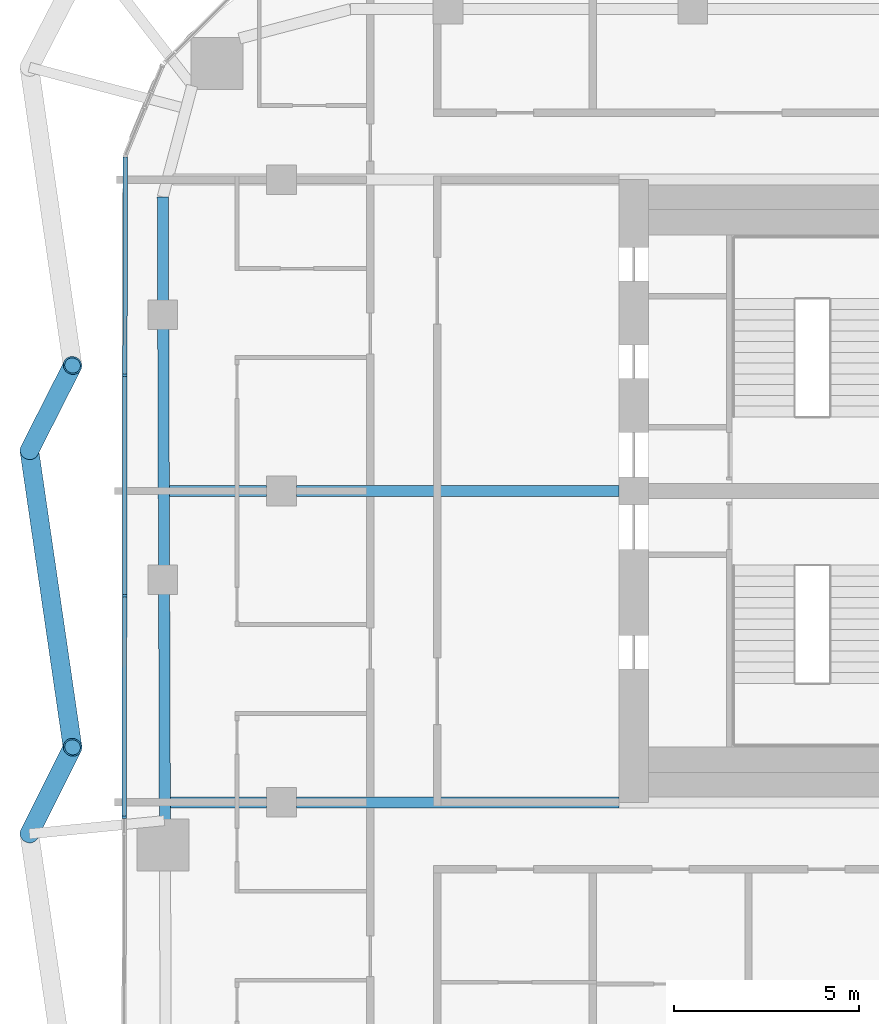
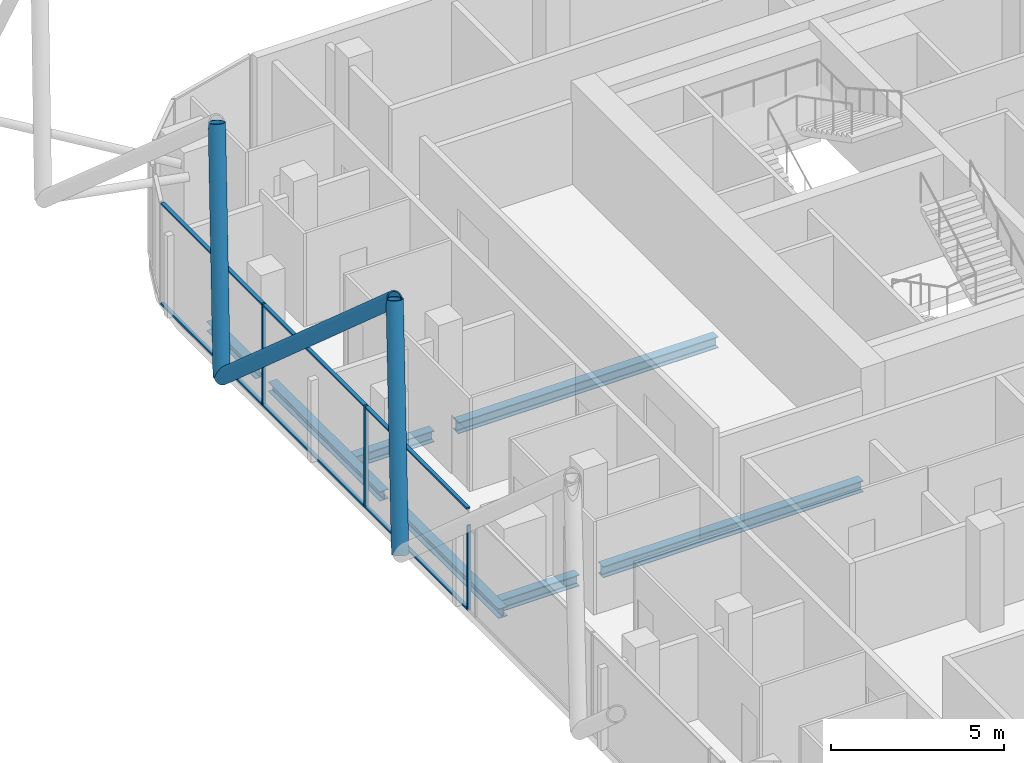
# One storey, part 8 of 33: 12 members, 7 beams, 2 elements without a shape of their own.
"""IFC4 building model written with IfcOpenShell, lengths in metres."""

from ifc_helpers import new_model, si_unit, direction, frame, origin, origin_2d, place, context, subcontext, project, spatial, rectangle, hollow_circle, i_section, extrude, material, layer, layer_set, material_profile, profile_set, type_object, element, aggregate, save


model = new_model("IFC4")

# Units and contexts
model_context = context("Model", 3, precision=1e-05, world=origin(), true_north=direction((0.0, 1.0)))
body_context = subcontext(model_context, "Body", "Model", "MODEL_VIEW")
ifc_project = project(units=[si_unit("LENGTHUNIT", "METRE"), si_unit("AREAUNIT", "SQUARE_METRE"), si_unit("VOLUMEUNIT", "CUBIC_METRE"), si_unit("PLANEANGLEUNIT", "RADIAN"), si_unit("MASSUNIT", "GRAM", prefix="KILO")], contexts=[model_context])

# Site, building, storey
site_placement = place(None, origin())
site = spatial("IfcSite", under=ifc_project, at=site_placement, CompositionType="ELEMENT")
building_placement = place(site_placement, origin())
building = spatial("IfcBuilding", under=site, at=building_placement, Name="Marenta Gate Hotel Tower", CompositionType="ELEMENT")
storey_placement = place(building_placement, frame((0.0, 0.0, 248.89990234375)))
storey = spatial("IfcBuildingStorey", under=building, at=storey_placement, Name="L59", CompositionType="ELEMENT", Elevation=248.89990234375)

# Members
ifc_material_1 = material(Name="Steel S355J2W", Category="steel")
ifc_material_profile_1 = material_profile(ifc_material_1, hollow_circle(Radius=0.25390625, WallThickness=0.0400390625, at=origin_2d()), Name="CHS 508x40")
ifc_profile_set_1 = profile_set([ifc_material_profile_1], Name="Steel S355J2W")
member_type_1 = type_object("IfcMemberType", Name="Diagrid diagonal T3 CHS 508x40", PredefinedType="BRACE", material=ifc_profile_set_1)
member_1_placement = place(storey_placement, frame((-27.800048828125, -0.85009765625, 3.14013671875), z_axis=(0.152119932005, 0.305068681746, 0.940102454898), x_axis=(-0.894912926352, 0.446240802984, 0.0)))
element("IfcMember", 1, at=member_1_placement, inside=storey, type_object=member_type_1, Name="L59-DG-30", PredefinedType="BRACE", context=body_context, shape_type="SweptSolid", body=[
    extrude(hollow_circle(Radius=0.25390625, WallThickness=0.0400390625, at=origin_2d()), origin(), (0.0, 0.0, 1.0), 7.65869140625),
])
member_2_placement = place(storey_placement, frame((-27.800048828125, 9.489990234375, 3.14013671875), z_axis=(0.107590615991, -0.739133102272, 0.664910908676), x_axis=(0.989571111289, 0.144045186318, 0.0)))
element("IfcMember", 2, at=member_2_placement, inside=storey, type_object=member_type_1, Name="L59-DG-31", PredefinedType="BRACE", context=body_context, shape_type="SweptSolid", body=[
    extrude(hollow_circle(Radius=0.25390625, WallThickness=0.0400390625, at=origin_2d()), origin(), (0.0, 0.0, 1.0), 10.828369140625),
])
member_3_placement = place(storey_placement, frame((-27.800048828125, 9.489990234375, 3.14013671875), z_axis=(0.152365420009, 0.300228844164, 0.94161957282), x_axis=(-0.891736841079, 0.452554313052, 0.0)))
element("IfcMember", 3, at=member_3_placement, inside=storey, type_object=member_type_1, Name="L59-DG-32", PredefinedType="BRACE", context=body_context, shape_type="SweptSolid", body=[
    extrude(hollow_circle(Radius=0.25390625, WallThickness=0.0400390625, at=origin_2d()), origin(), (0.0, 0.0, 1.0), 7.646240234375),
])

# Beams
ifc_material_2 = material(Name="Steel S355", Category="steel")
ifc_material_profile_2 = material_profile(ifc_material_2, i_section(OverallWidth=0.300048828125, OverallDepth=0.340087890625, WebThickness=0.011962890625, FlangeThickness=0.021484375, FilletRadius=0.027099609375, at=origin_2d()), Name="HEB 340")
ifc_profile_set_2 = profile_set([ifc_material_profile_2], Name="Steel S355")
beam_type_1 = type_object("IfcBeamType", Name="Edge beam HEB 340", PredefinedType="SPANDREL", material=ifc_profile_set_2)
beam_1_placement = place(storey_placement, frame((-24.14404296875, -0.489990234375, -0.429931640625), z_axis=(-0.003303859048, 0.999994542243, 0.0), x_axis=(-0.999994542243, -0.003303859048, 0.0)))
element("IfcBeam", 4, at=beam_1_placement, inside=storey, type_object=beam_type_1, Name="L59-EB-8", PredefinedType="SPANDREL", context=body_context, shape_type="SweptSolid", body=[
    extrude(i_section(OverallWidth=0.300048828125, OverallDepth=0.340087890625, WebThickness=0.011962890625, FlangeThickness=0.021484375, FilletRadius=0.027099609375, at=origin_2d()), origin(), (0.0, 0.0, 1.0), 6.13330078125),
])
beam_2_placement = place(storey_placement, frame((-24.166748046875, 6.36328125, -0.429931640625), z_axis=(-0.00333963982, 0.999994423387, 0.0), x_axis=(-0.999994423387, -0.00333963982, 0.0)))
element("IfcBeam", 5, at=beam_2_placement, inside=storey, type_object=beam_type_1, Name="L59-EB-9", PredefinedType="SPANDREL", context=body_context, shape_type="SweptSolid", body=[
    extrude(i_section(OverallWidth=0.300048828125, OverallDepth=0.340087890625, WebThickness=0.011962890625, FlangeThickness=0.021484375, FilletRadius=0.027099609375, at=origin_2d()), origin(), (0.0, 0.0, 1.0), 6.43310546875),
])
beam_3_placement = place(storey_placement, frame((-24.190673828125, 13.516357421875, -0.429931640625), z_axis=(-0.003292020626, 0.999994581285, 0.0), x_axis=(-0.999994581285, -0.003292020626, 0.0)))
element("IfcBeam", 6, at=beam_3_placement, inside=storey, type_object=beam_type_1, Name="L59-EB-10", PredefinedType="SPANDREL", context=body_context, shape_type="SweptSolid", body=[
    extrude(i_section(OverallWidth=0.300048828125, OverallDepth=0.340087890625, WebThickness=0.011962890625, FlangeThickness=0.021484375, FilletRadius=0.027099609375, at=origin_2d()), origin(), (0.0, 0.0, 1.0), 2.818115234375),
])
ifc_material_3 = material(Name="Steel S355", Category="steel")
ifc_material_profile_3 = material_profile(ifc_material_3, i_section(OverallWidth=0.300048828125, OverallDepth=0.39990234375, WebThickness=0.013427734375, FlangeThickness=0.02392578125, FilletRadius=0.027099609375, at=origin_2d()), Name="HEB 400")
ifc_profile_set_3 = profile_set([ifc_material_profile_3], Name="Steel S355")
beam_type_2 = type_object("IfcBeamType", Name="Girder HEB 400", PredefinedType="BEAM", material=ifc_profile_set_3)
beam_4_placement = place(storey_placement, frame((-23.99560546875, 0.0, -0.4599609375), z_axis=(1.0, 0.0, 0.0), x_axis=(0.0, 1.0, 0.0)))
element("IfcBeam", 7, at=beam_4_placement, inside=storey, type_object=beam_type_2, Name="L59-GD-20", PredefinedType="BEAM", context=body_context, shape_type="SweptSolid", body=[
    extrude(i_section(OverallWidth=0.300048828125, OverallDepth=0.39990234375, WebThickness=0.013427734375, FlangeThickness=0.02392578125, FilletRadius=0.027099609375, at=origin_2d()), origin(), (0.0, 0.0, 1.0), 2.595703125),
])
beam_5_placement = place(storey_placement, frame((-20.60009765625, 0.0, -0.4599609375), z_axis=(1.0, 0.0, 0.0), x_axis=(0.0, 1.0, 0.0)))
element("IfcBeam", 8, at=beam_5_placement, inside=storey, type_object=beam_type_2, Name="L59-GD-21", PredefinedType="BEAM", context=body_context, shape_type="SweptSolid", body=[
    extrude(i_section(OverallWidth=0.300048828125, OverallDepth=0.39990234375, WebThickness=0.013427734375, FlangeThickness=0.02392578125, FilletRadius=0.027099609375, at=origin_2d()), origin(), (0.0, 0.0, 1.0), 8.7001953125),
])
beam_6_placement = place(storey_placement, frame((-24.023681640625, 8.39990234375, -0.4599609375), z_axis=(1.0, 0.0, 0.0), x_axis=(0.0, 1.0, 0.0)))
element("IfcBeam", 9, at=beam_6_placement, inside=storey, type_object=beam_type_2, Name="L59-GD-25", PredefinedType="BEAM", context=body_context, shape_type="SweptSolid", body=[
    extrude(i_section(OverallWidth=0.300048828125, OverallDepth=0.39990234375, WebThickness=0.013427734375, FlangeThickness=0.02392578125, FilletRadius=0.027099609375, at=origin_2d()), origin(), (0.0, 0.0, 1.0), 2.623779296875),
])
beam_7_placement = place(storey_placement, frame((-20.60009765625, 8.39990234375, -0.4599609375), z_axis=(1.0, 0.0, 0.0), x_axis=(0.0, 1.0, 0.0)))
element("IfcBeam", 10, at=beam_7_placement, inside=storey, type_object=beam_type_2, Name="L59-GD-26", PredefinedType="BEAM", context=body_context, shape_type="SweptSolid", body=[
    extrude(i_section(OverallWidth=0.300048828125, OverallDepth=0.39990234375, WebThickness=0.013427734375, FlangeThickness=0.02392578125, FilletRadius=0.027099609375, at=origin_2d()), origin(), (0.0, 0.0, 1.0), 8.7001953125),
])

# Curtain wall, members
ifc_material_4 = material(Name="Tinted insulated glass in bronze anodised frame", Category="glass")
ifc_layer = layer(ifc_material_4, 0.1201171875)
ifc_layer_set = layer_set([ifc_layer], Name="Tinted insulated glass in bronze anodised frame")
curtain_wall_type = type_object("IfcCurtainWallType", Name="Tower unitised curtain wall CW1", PredefinedType="NOTDEFINED", material=ifc_layer_set)
curtain_wall_1_placement = place(storey_placement, origin())
curtain_wall_1 = element("IfcCurtainWall", 11, at=curtain_wall_1_placement, inside=storey, type_object=curtain_wall_type, Name="CW1 run G06", PredefinedType="NOTDEFINED")
ifc_material_5 = material(Name="Bronze anodised aluminium", Category="aluminium")
ifc_material_profile_4 = material_profile(ifc_material_5, rectangle(XDim=0.1201171875, YDim=0.06005859375, at=origin_2d()), Name="Mullion CW1 60x120 bronze anodised aluminium")
ifc_profile_set_4 = profile_set([ifc_material_profile_4], Name="Bronze anodised aluminium")
member_type_2 = type_object("IfcMemberType", Name="Mullion CW1 60x120 bronze anodised aluminium", PredefinedType="MULLION", material=ifc_profile_set_4)
member_4_placement = place(storey_placement, frame((-25.2216796875, 11.520751953125, 0.0), z_axis=(0.0, 0.0, 1.0), x_axis=(0.999998767857, -0.001569803969, 0.0)))
member_4 = element("IfcMember", 12, at=member_4_placement, type_object=member_type_2, Name="CW1 mullion 2", PredefinedType="MULLION", context=body_context, shape_type="SweptSolid", body=[
    extrude(rectangle(XDim=0.1201171875, YDim=0.06005859375, at=origin_2d()), origin(), (0.0, 0.0, 1.0), 3.60009765625),
])
member_5_placement = place(storey_placement, frame((-25.23095703125, 5.5751953125, 0.0), z_axis=(0.0, 0.0, 1.0), x_axis=(0.999998767857, -0.001569803969, 0.0)))
member_5 = element("IfcMember", 13, at=member_5_placement, type_object=member_type_2, Name="CW1 mullion 3", PredefinedType="MULLION", context=body_context, shape_type="SweptSolid", body=[
    extrude(rectangle(XDim=0.1201171875, YDim=0.06005859375, at=origin_2d()), origin(), (0.0, 0.0, 1.0), 3.60009765625),
])

# Curtain wall, member
curtain_wall_2_placement = place(storey_placement, origin())
curtain_wall_2 = element("IfcCurtainWall", 14, at=curtain_wall_2_placement, inside=storey, type_object=curtain_wall_type, Name="CW1 run G07", PredefinedType="NOTDEFINED")
member_6_placement = place(storey_placement, frame((-25.240234375, -0.400390625, 0.0), z_axis=(0.0, 0.0, 1.0), x_axis=(0.999998818129, -0.001537446022, 0.0)))
member_6 = element("IfcMember", 15, at=member_6_placement, type_object=member_type_2, Name="CW1 mullion 1", PredefinedType="MULLION", context=body_context, shape_type="SweptSolid", body=[
    extrude(rectangle(XDim=0.1201171875, YDim=0.06005859375, at=origin_2d()), origin(), (0.0, 0.0, 1.0), 3.00048828125),
])
aggregate(curtain_wall_2, [member_6])

# Member
ifc_material_6 = material(Name="Bronze anodised aluminium", Category="aluminium")
ifc_material_profile_5 = material_profile(ifc_material_6, rectangle(XDim=0.1201171875, YDim=0.06005859375, at=origin_2d()), Name="Transom CW1 60x120 bronze anodised aluminium")
ifc_profile_set_5 = profile_set([ifc_material_profile_5], Name="Bronze anodised aluminium")
member_type_3 = type_object("IfcMemberType", Name="Transom CW1 60x120 bronze anodised aluminium", PredefinedType="USERDEFINED", material=ifc_profile_set_5)
member_7_placement = place(storey_placement, frame((-25.21240234375, 17.40625, 0.030029296875), z_axis=(-0.001584387604, -0.999998744857, 0.0), x_axis=(0.999998744857, -0.001584387604, 0.0)))
member_7 = element("IfcMember", 16, at=member_7_placement, type_object=member_type_3, Name="CW1 transom 1.1", ObjectType="TRANSOM", PredefinedType="USERDEFINED", context=body_context, shape_type="SweptSolid", body=[
    extrude(rectangle(XDim=0.1201171875, YDim=0.06005859375, at=origin_2d()), origin(), (0.0, 0.0, 1.0), 5.85546875),
])

member_8_placement = place(storey_placement, frame((-25.21240234375, 17.40625, 3.570068359375), z_axis=(-0.001584387604, -0.999998744857, 0.0), x_axis=(0.999998744857, -0.001584387604, 0.0)))
member_8 = element("IfcMember", 17, at=member_8_placement, type_object=member_type_3, Name="CW1 transom 1.2", ObjectType="TRANSOM", PredefinedType="USERDEFINED", context=body_context, shape_type="SweptSolid", body=[
    extrude(rectangle(XDim=0.1201171875, YDim=0.06005859375, at=origin_2d()), origin(), (0.0, 0.0, 1.0), 5.85546875),
])

member_9_placement = place(storey_placement, frame((-25.2216796875, 11.49072265625, 0.030029296875), z_axis=(-0.001576303679, -0.999998757633, 0.0), x_axis=(0.999998757633, -0.001576303679, 0.0)))
member_9 = element("IfcMember", 18, at=member_9_placement, type_object=member_type_3, Name="CW1 transom 2.1", ObjectType="TRANSOM", PredefinedType="USERDEFINED", context=body_context, shape_type="SweptSolid", body=[
    extrude(rectangle(XDim=0.1201171875, YDim=0.06005859375, at=origin_2d()), origin(), (0.0, 0.0, 1.0), 5.885498046875),
])

member_10_placement = place(storey_placement, frame((-25.2216796875, 11.49072265625, 3.570068359375), z_axis=(-0.001576303679, -0.999998757633, 0.0), x_axis=(0.999998757633, -0.001576303679, 0.0)))
member_10 = element("IfcMember", 19, at=member_10_placement, type_object=member_type_3, Name="CW1 transom 2.2", ObjectType="TRANSOM", PredefinedType="USERDEFINED", context=body_context, shape_type="SweptSolid", body=[
    extrude(rectangle(XDim=0.1201171875, YDim=0.06005859375, at=origin_2d()), origin(), (0.0, 0.0, 1.0), 5.885498046875),
])

member_11_placement = place(storey_placement, frame((-25.23095703125, 5.545166015625, 0.030029296875), z_axis=(-0.001568301827, -0.999998770214, 0.0), x_axis=(0.999998770214, -0.001568301827, 0.0)))
member_11 = element("IfcMember", 20, at=member_11_placement, type_object=member_type_3, Name="CW1 transom 3.1", ObjectType="TRANSOM", PredefinedType="USERDEFINED", context=body_context, shape_type="SweptSolid", body=[
    extrude(rectangle(XDim=0.1201171875, YDim=0.06005859375, at=origin_2d()), origin(), (0.0, 0.0, 1.0), 5.91552734375),
])

member_12_placement = place(storey_placement, frame((-25.23095703125, 5.545166015625, 3.570068359375), z_axis=(-0.001568301827, -0.999998770214, 0.0), x_axis=(0.999998770214, -0.001568301827, 0.0)))
member_12 = element("IfcMember", 21, at=member_12_placement, type_object=member_type_3, Name="CW1 transom 3.2", ObjectType="TRANSOM", PredefinedType="USERDEFINED", context=body_context, shape_type="SweptSolid", body=[
    extrude(rectangle(XDim=0.1201171875, YDim=0.06005859375, at=origin_2d()), origin(), (0.0, 0.0, 1.0), 5.91552734375),
])

aggregate(curtain_wall_1, [member_4, member_5, member_7, member_8, member_9, member_10, member_11, member_12])

save(model, "model.ifc")
